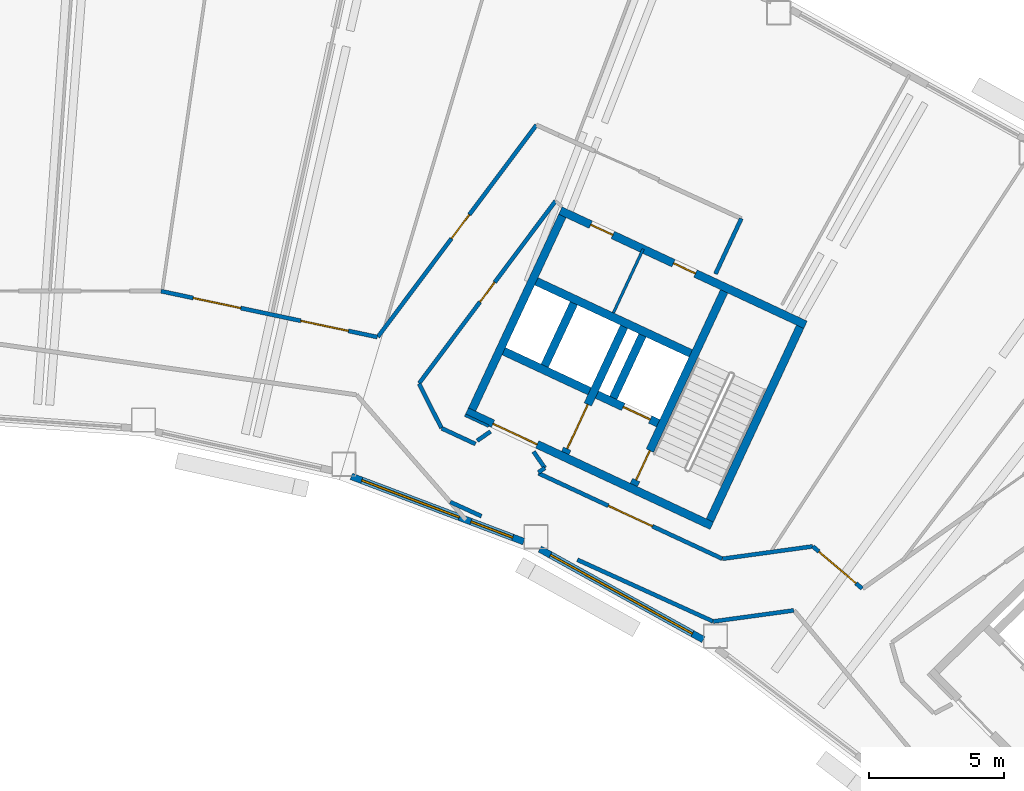
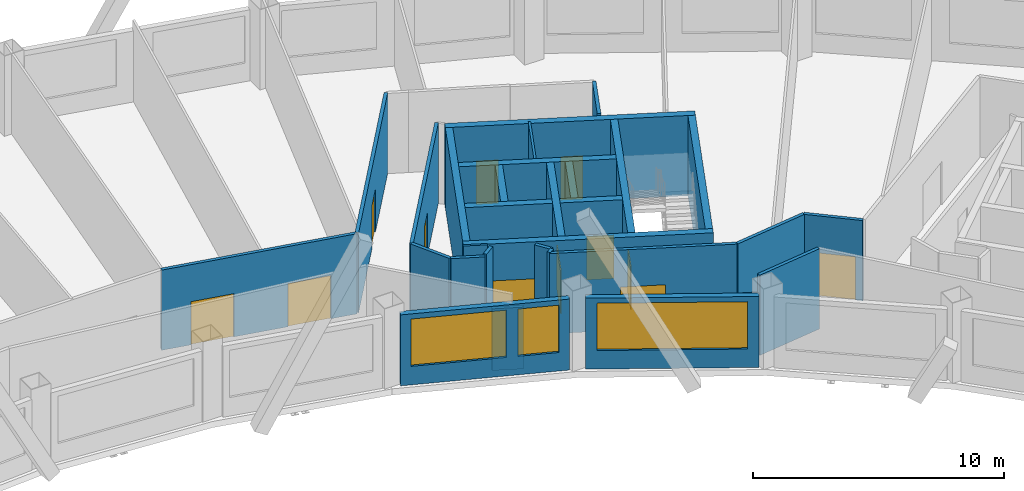
# One storey, part 8 of 14: 30 walls, 12 doors, 3 windows, 15 openings.
"""IFC4 building model written with IfcOpenShell, lengths in metres."""

import ifcopenshell
import ifcopenshell.guid

model = None  # the IFC model being written
_history = None  # IfcOwnerHistory: only IFC2X3 demands one
_inside = {}  # id of a spatial element -> (the spatial element, [elements in it])
_under = {}  # id of a project, library or spatial element -> (it, [spatial elements below it])
_declared = {}  # id of a project -> (the project, [libraries it declares])
_typed = {}  # id of a type object -> (the type object, [elements of that type])
_made_of = {}  # id of a material, layer set ... -> (it, [elements and type objects made of it])


def new_model(schema):
    """Start an empty IFC model of exactly this schema.

    Asked for "IFC4X3", IfcOpenShell would pick the latest addendum, in which some entities
    have other attributes; the version numbers below select the first issue.
    IFC2X3 requires an IfcOwnerHistory on every rooted entity: one is made here for all.
    """
    global model, _history
    if schema == "IFC4X3":
        model = ifcopenshell.file(schema_version=(4, 3, 0, 0))
    else:
        model = ifcopenshell.file(schema=schema)
    _inside.clear()
    _under.clear()
    _declared.clear()
    _typed.clear()
    _made_of.clear()
    _history = None
    if model.schema == "IFC2X3":
        org = make("IfcOrganization", Name="unknown")
        user = make(
            "IfcPersonAndOrganization",
            ThePerson=make("IfcPerson", FamilyName="unknown"),
            TheOrganization=org,
        )
        app = make(
            "IfcApplication",
            ApplicationDeveloper=org,
            Version="unknown",
            ApplicationFullName="unknown",
            ApplicationIdentifier="unknown",
        )
        _history = make(
            "IfcOwnerHistory",
            OwningUser=user,
            OwningApplication=app,
            ChangeAction="ADDED",
            CreationDate=0,
        )
    return model


def make(cls, **values):
    """One entity of the class cls with the attributes given. An attribute that is None is left unset."""
    return model.create_entity(
        cls, **{name: value for name, value in values.items() if value is not None}
    )


def rooted(cls, **values):
    """An entity with a GlobalId (a new one), such as an element, a storey or a relation."""
    return make(cls, GlobalId=ifcopenshell.guid.new(), OwnerHistory=_history, **values)


def si_unit(unit_type, name, prefix=None):
    """IfcSIUnit, for example si_unit("LENGTHUNIT", "METRE", prefix="MILLI")."""
    return make("IfcSIUnit", UnitType=unit_type, Prefix=prefix, Name=name)


def assignment(units):
    """IfcUnitAssignment: the units of a project."""
    return None if units is None else make("IfcUnitAssignment", Units=units)


def point(xyz):
    """IfcCartesianPoint."""
    return None if xyz is None else make("IfcCartesianPoint", Coordinates=xyz)


def direction(xyz):
    """IfcDirection."""
    return None if xyz is None else make("IfcDirection", DirectionRatios=xyz)


def frame(location, z_axis=None, x_axis=None):
    """IfcAxis2Placement3D, a coordinate frame: its origin and axes. An axis left out is left unset."""
    return make(
        "IfcAxis2Placement3D",
        Location=point(location),
        Axis=direction(z_axis),
        RefDirection=direction(x_axis),
    )


def frame_2d(location, x_axis=None):
    """IfcAxis2Placement2D, a coordinate frame in the plane: its origin and x axis."""
    return make(
        "IfcAxis2Placement2D", Location=point(location), RefDirection=direction(x_axis)
    )


def origin():
    """The frame at (0, 0, 0) with its axes left unset."""
    return frame((0.0, 0.0, 0.0))


def place(relative_to, where):
    """IfcLocalPlacement: puts the frame where relative to a parent placement (None: the world)."""
    return make(
        "IfcLocalPlacement", PlacementRelTo=relative_to, RelativePlacement=where
    )


def context(
    kind, dimensions, precision=None, world=None, true_north=None, identifier=None
):
    """IfcGeometricRepresentationContext, for example the 3D "Model" context."""
    return make(
        "IfcGeometricRepresentationContext",
        ContextIdentifier=identifier,
        ContextType=kind,
        CoordinateSpaceDimension=dimensions,
        Precision=precision,
        WorldCoordinateSystem=world,
        TrueNorth=true_north,
    )


def subcontext(parent, identifier, kind, view, scale=None):
    """IfcGeometricRepresentationSubContext, for example "Body" below "Model"."""
    return make(
        "IfcGeometricRepresentationSubContext",
        ContextIdentifier=identifier,
        ContextType=kind,
        ParentContext=parent,
        TargetScale=scale,
        TargetView=view,
    )


def project(units=None, contexts=None):
    """IfcProject with its units and contexts."""
    return rooted(
        "IfcProject",
        Name="project",
        RepresentationContexts=contexts,
        UnitsInContext=assignment(units),
    )


def spatial(cls, under=None, at=None, **own):
    """A site, building, storey or space (cls), placed at a placement, below another one or the project."""
    s = rooted(cls, ObjectPlacement=at, **own)
    if under is not None:
        _under.setdefault(under.id(), (under, []))[1].append(s)
    return s


def profile(cls, at=None, kind="AREA", **sizes):
    """A parametric profile (cls). Its sizes go by their IFC names, for example OverallWidth=200.0."""
    return make(cls, ProfileType=kind, Position=at, **sizes)


def rectangle(**sizes):
    """IfcRectangleProfileDef."""
    return profile("IfcRectangleProfileDef", **sizes)


def extrude(swept, where, along, depth):
    """IfcExtrudedAreaSolid: the profile swept, set in the frame where, extruded along a direction by depth."""
    return make(
        "IfcExtrudedAreaSolid",
        SweptArea=swept,
        Position=where,
        ExtrudedDirection=direction(along),
        Depth=depth,
    )


def shape(context_of_items, identifier, shape_type, items):
    """IfcShapeRepresentation: the items that make up one representation, for example the "Body"."""
    return make(
        "IfcShapeRepresentation",
        ContextOfItems=context_of_items,
        RepresentationIdentifier=identifier,
        RepresentationType=shape_type,
        Items=items,
    )


def material(Name=None, Category=None):
    """IfcMaterial."""
    return make("IfcMaterial", Name=Name, Category=Category)


def layer(
    of_material, thickness, ventilated=None, Name=None, Category=None, Priority=None
):
    """IfcMaterialLayer: one layer of a wall or slab, of a material (None: an air gap)."""
    return make(
        "IfcMaterialLayer",
        Material=of_material,
        LayerThickness=thickness,
        IsVentilated=ventilated,
        Name=Name,
        Category=Category,
        Priority=Priority,
    )


def layer_set(layers, Name=None):
    """IfcMaterialLayerSet."""
    return make("IfcMaterialLayerSet", MaterialLayers=layers, LayerSetName=Name)


def made_of(thing, what):
    """Note that an element or type object is made of a material, layer set ...; save() writes the relation."""
    if what is not None:
        _made_of.setdefault(what.id(), (what, []))[1].append(thing)
    return thing


def type_object(cls, material=None, **own):
    """A type object (cls), such as IfcWallType, which elements share."""
    return made_of(rooted(cls, **own), material)


def element(
    cls,
    number,
    at=None,
    inside=None,
    cuts=None,
    type_object=None,
    material=None,
    context=None,
    identifier="Body",
    shape_type=None,
    held_by="IfcProductDefinitionShape",
    body=None,
    shapes=None,
    **own,
):
    """One element of the class cls, such as IfcWall. Its Tag is "e" and its number.

    at: its placement. inside: the storey or other place that contains it. cuts: it is an
    opening in that element (IfcRelVoidsElement). A single representation is given by context,
    identifier, shape_type and body (its items); several are given by shapes. held_by: the class
    of the entity that holds the representations. save() writes the other relations.
    """
    e = rooted(cls, Tag="e%d" % number, ObjectPlacement=at, **own)
    if body is not None:
        shapes = [shape(context, identifier, shape_type, body)]
    if shapes is not None:
        e.Representation = make(held_by, Representations=shapes)
    if inside is not None:
        _inside.setdefault(inside.id(), (inside, []))[1].append(e)
    if cuts is not None:
        rooted(
            "IfcRelVoidsElement", RelatingBuildingElement=cuts, RelatedOpeningElement=e
        )
    if type_object is not None:
        _typed.setdefault(type_object.id(), (type_object, []))[1].append(e)
    return made_of(e, material)


def fill(opening, filler):
    """IfcRelFillsElement: the door or window that sits in an opening."""
    return rooted(
        "IfcRelFillsElement",
        RelatingOpeningElement=opening,
        RelatedBuildingElement=filler,
    )


def aggregate(whole, parts):
    """IfcRelAggregates: a whole, such as a stair, and the parts it consists of."""
    return rooted("IfcRelAggregates", RelatingObject=whole, RelatedObjects=parts)


def save(model, path):
    """Write the relations noted so far, then the file.

    IfcRelAggregates (storeys below a building ...), IfcRelContainedInSpatialStructure (elements
    in a storey), IfcRelDefinesByType, IfcRelAssociatesMaterial and IfcRelDeclares: one each for
    every whole, place, type object, material and project.
    """
    for whole, parts in _under.values():
        aggregate(whole, parts)
    for where, things in _inside.values():
        rooted(
            "IfcRelContainedInSpatialStructure",
            RelatedElements=things,
            RelatingStructure=where,
        )
    for kind, things in _typed.values():
        rooted("IfcRelDefinesByType", RelatedObjects=things, RelatingType=kind)
    for what, things in _made_of.values():
        rooted("IfcRelAssociatesMaterial", RelatedObjects=things, RelatingMaterial=what)
    for by, libraries in _declared.values():
        rooted("IfcRelDeclares", RelatingContext=by, RelatedDefinitions=libraries)
    model.write(path)


model = new_model("IFC4")

# Units and contexts
model_context = context("Model", 3, precision=1e-05, world=origin(), true_north=direction((0.0, 1.0)))
body_context = subcontext(model_context, "Body", "Model", "MODEL_VIEW")
ifc_project = project(units=[si_unit("LENGTHUNIT", "METRE"), si_unit("AREAUNIT", "SQUARE_METRE"), si_unit("VOLUMEUNIT", "CUBIC_METRE"), si_unit("PLANEANGLEUNIT", "RADIAN"), si_unit("MASSUNIT", "GRAM", prefix="KILO")], contexts=[model_context])

# Site, building, storey
site_placement = place(None, origin())
site = spatial("IfcSite", under=ifc_project, at=site_placement, CompositionType="ELEMENT")
building_placement = place(site_placement, origin())
building = spatial("IfcBuilding", under=site, at=building_placement, Name="Tuul Gate Civic Tower", CompositionType="ELEMENT")
storey_placement = place(building_placement, frame((0.0, 0.0, 209.5)))
storey = spatial("IfcBuildingStorey", under=building, at=storey_placement, Name="Level 47", CompositionType="ELEMENT", Elevation=209.5)

# Wall, opening, door
ifc_material_1 = material(Name="Concrete C50/60", Category="concrete")
ifc_layer_1 = layer(ifc_material_1, 0.300048828125)
ifc_layer_set_1 = layer_set([ifc_layer_1], Name="Concrete C50/60")
wall_type_1 = type_object("IfcWallType", Name="Core wall C50/60", PredefinedType="SHEAR", material=ifc_layer_set_1)
wall_1_placement = place(storey_placement, frame((34.5283203125, -7.25, 0.0), z_axis=(0.0, 0.0, 1.0), x_axis=(-0.906310338845, 0.422612789327, 0.0)))
wall_1 = element("IfcWall", 1, at=wall_1_placement, inside=storey, type_object=wall_type_1, Name="Core wall", PredefinedType="SHEAR", context=body_context, shape_type="SweptSolid", body=[
    extrude(rectangle(XDim=9.999755859375, YDim=0.300048828125, at=frame_2d((5.0, 0.0))), origin(), (0.0, 0.0, 1.0), 3.89990234375),
])
opening_1_placement = place(wall_1_placement, frame((7.125, 0.0, 0.0)))
opening_1 = element("IfcOpeningElement", 2, at=opening_1_placement, cuts=wall_1, Name="Opening LB-E3-LOBBY-1", PredefinedType="OPENING", context=body_context, shape_type="SweptSolid", body=[
    extrude(rectangle(XDim=1.800048828125, YDim=2.10009765625, at=frame_2d((0.89990234375, 1.050048828125))), frame((0.0, 0.16015625, 0.0), z_axis=(0.0, -1.0, 0.0), x_axis=(1.0, 0.0, 0.0)), (0.0, 0.0, 1.0), 0.320068359375),
])
ifc_material_2 = material(Name="Steel", Category="steel")
door_type_1 = type_object("IfcDoorType", Name="Lobby door", OperationType="DOUBLE_DOOR_SINGLE_SWING", PredefinedType="DOOR", material=ifc_material_2)
door_1_placement = place(opening_1_placement, frame((1.800048828125, 0.0, 0.0), z_axis=(0.0, 0.0, 1.0), x_axis=(-1.0, 0.0, 0.0)))
door_1 = element("IfcDoor", 3, at=door_1_placement, inside=storey, type_object=door_type_1, Name="Lobby door E3-LOBBY", OperationType="DOUBLE_DOOR_SINGLE_SWING", OverallHeight=2.10009765625, OverallWidth=1.800048828125, PredefinedType="DOOR", context=body_context, shape_type="SweptSolid", body=[
    extrude(rectangle(XDim=1.800048828125, YDim=2.10009765625, at=frame_2d((0.900146484375, 1.050048828125))), frame((0.0, 0.02490234375, 0.0), z_axis=(0.0, -1.0, 0.0), x_axis=(1.0, 0.0, 0.0)), (0.0, 0.0, 1.0), 0.050048828125),
])
fill(opening_1, door_1)

wall_2_placement = place(storey_placement, frame((32.545654296875, -3.456787109375, 0.0), z_axis=(0.0, 0.0, 1.0), x_axis=(-0.906300357825, 0.42263419337, 0.0)))
wall_2 = element("IfcWall", 4, at=wall_2_placement, inside=storey, type_object=wall_type_1, Name="Core wall", PredefinedType="SHEAR", context=body_context, shape_type="SweptSolid", body=[
    extrude(rectangle(XDim=2.500244140625, YDim=0.300048828125, at=frame_2d((1.25, 0.0))), origin(), (0.0, 0.0, 1.0), 3.89990234375),
])
opening_2_placement = place(wall_2_placement, frame((0.324951171875, 0.0, 0.0)))
opening_2 = element("IfcOpeningElement", 5, at=opening_2_placement, cuts=wall_2, Name="Opening LD-FF-2", PredefinedType="OPENING", context=body_context, shape_type="SweptSolid", body=[
    extrude(rectangle(XDim=1.10009765625, YDim=2.10009765625, at=frame_2d((0.550048828125, 1.050048828125))), frame((0.0, 0.16015625, 0.0), z_axis=(0.0, -1.0, 0.0), x_axis=(1.0, 0.0, 0.0)), (0.0, 0.0, 1.0), 0.320068359375),
])
ifc_material_3 = material(Name="Stainless steel", Category="steel")
door_type_2 = type_object("IfcDoorType", Name="Landing door", OperationType="DOUBLE_DOOR_SLIDING", PredefinedType="DOOR", material=ifc_material_3)
door_2_placement = place(opening_2_placement, origin())
door_2 = element("IfcDoor", 6, at=door_2_placement, inside=storey, type_object=door_type_2, Name="Fire-fighting lift FF-2 landing door", OperationType="DOUBLE_DOOR_SLIDING", OverallHeight=2.10009765625, OverallWidth=1.10009765625, PredefinedType="DOOR", context=body_context, shape_type="SweptSolid", body=[
    extrude(rectangle(XDim=1.10009765625, YDim=2.10009765625, at=frame_2d((0.550048828125, 1.050048828125))), frame((0.0, 0.02490234375, 0.0), z_axis=(0.0, -1.0, 0.0), x_axis=(1.0, 0.0, 0.0)), (0.0, 0.0, 1.0), 0.050048828125),
])
fill(opening_2, door_2)

# Walls
wall_3_placement = place(storey_placement, frame((30.0078125, -2.2734375, 0.0), z_axis=(0.0, 0.0, 1.0), x_axis=(-0.90630071767, 0.422633421716, 0.0)))
element("IfcWall", 7, at=wall_3_placement, inside=storey, type_object=wall_type_1, Name="Core wall", PredefinedType="SHEAR", context=body_context, shape_type="SweptSolid", body=[
    extrude(rectangle(XDim=3.5, YDim=0.300048828125, at=frame_2d((1.75, 0.0))), origin(), (0.0, 0.0, 1.0), 3.89990234375),
])
wall_4_placement = place(storey_placement, frame((33.75, -0.873779296875, 0.0), z_axis=(0.0, 0.0, 1.0), x_axis=(-0.906300917592, 0.422632992999, 0.0)))
element("IfcWall", 8, at=wall_4_placement, inside=storey, type_object=wall_type_1, Name="Core wall", PredefinedType="SHEAR", context=body_context, shape_type="SweptSolid", body=[
    extrude(rectangle(XDim=6.300048828125, YDim=0.300048828125, at=frame_2d((3.14990234375, 0.0))), origin(), (0.0, 0.0, 1.0), 3.89990234375),
])

# Wall, openings, doors
wall_5_placement = place(storey_placement, frame((37.993408203125, 0.181884765625, 0.0), z_axis=(0.0, 0.0, 1.0), x_axis=(-0.906310338845, 0.422612789327, 0.0)))
wall_5 = element("IfcWall", 9, at=wall_5_placement, inside=storey, type_object=wall_type_1, Name="Core wall", PredefinedType="SHEAR", context=body_context, shape_type="SweptSolid", body=[
    extrude(rectangle(XDim=9.999755859375, YDim=0.300048828125, at=frame_2d((5.0, 0.0))), origin(), (0.0, 0.0, 1.0), 3.89990234375),
])
opening_3_placement = place(wall_5_placement, frame((4.487548828125, 0.0, 0.0)))
opening_3 = element("IfcOpeningElement", 10, at=opening_3_placement, cuts=wall_5, Name="Opening Q-D29", PredefinedType="OPENING", context=body_context, shape_type="SweptSolid", body=[
    extrude(rectangle(XDim=0.89990234375, YDim=2.10009765625, at=frame_2d((0.449951171875, 1.050048828125))), frame((0.0, 0.16015625, 0.0), z_axis=(0.0, -1.0, 0.0), x_axis=(1.0, 0.0, 0.0)), (0.0, 0.0, 1.0), 0.320068359375),
])
opening_4_placement = place(wall_5_placement, frame((7.862548828125, 0.0, 0.0)))
opening_4 = element("IfcOpeningElement", 11, at=opening_4_placement, cuts=wall_5, Name="Opening Q-D30", PredefinedType="OPENING", context=body_context, shape_type="SweptSolid", body=[
    extrude(rectangle(XDim=0.89990234375, YDim=2.10009765625, at=frame_2d((0.449951171875, 1.050048828125))), frame((0.0, 0.16015625, 0.0), z_axis=(0.0, -1.0, 0.0), x_axis=(1.0, 0.0, 0.0)), (0.0, 0.0, 1.0), 0.320068359375),
])
ifc_material_4 = material(Name="Timber door leaf", Category="wood")
door_type_3 = type_object("IfcDoorType", Name="Door D09", OperationType="NOTDEFINED", PredefinedType="DOOR", material=ifc_material_4)
door_3_placement = place(opening_3_placement, origin())
door_3 = element("IfcDoor", 12, at=door_3_placement, inside=storey, type_object=door_type_3, Name="Door Q-D29", OperationType="SINGLE_SWING_LEFT", OverallHeight=2.10009765625, OverallWidth=0.89990234375, PredefinedType="DOOR", context=body_context, shape_type="SweptSolid", body=[
    extrude(rectangle(XDim=0.89990234375, YDim=2.10009765625, at=frame_2d((0.449951171875, 1.050048828125))), frame((0.0, 0.02490234375, 0.0), z_axis=(0.0, -1.0, 0.0), x_axis=(1.0, 0.0, 0.0)), (0.0, 0.0, 1.0), 0.050048828125),
])
fill(opening_3, door_3)
door_4_placement = place(opening_4_placement, origin())
door_4 = element("IfcDoor", 13, at=door_4_placement, inside=storey, type_object=door_type_3, Name="Door Q-D30", OperationType="SINGLE_SWING_RIGHT", OverallHeight=2.10009765625, OverallWidth=0.89990234375, PredefinedType="DOOR", context=body_context, shape_type="SweptSolid", body=[
    extrude(rectangle(XDim=0.89990234375, YDim=2.10009765625, at=frame_2d((0.449951171875, 1.050048828125))), frame((0.0, 0.02490234375, 0.0), z_axis=(0.0, -1.0, 0.0), x_axis=(1.0, 0.0, 0.0)), (0.0, 0.0, 1.0), 0.050048828125),
])
fill(opening_4, door_4)

# Wall
wall_6_placement = place(storey_placement, frame((34.455810546875, -7.05078125, 0.0), z_axis=(0.0, 0.0, 1.0), x_axis=(0.422570768258, 0.906329932096, 0.0)))
element("IfcWall", 14, at=wall_6_placement, inside=storey, type_object=wall_type_1, Name="Core wall", PredefinedType="SHEAR", context=body_context, shape_type="SweptSolid", body=[
    extrude(rectangle(XDim=7.900146484375, YDim=0.300048828125, at=frame_2d((3.9501953125, 0.0))), origin(), (0.0, 0.0, 1.0), 3.89990234375),
])

# Wall, opening, door
wall_7_placement = place(storey_placement, frame((31.646240234375, -5.740478515625, 0.0), z_axis=(0.0, 0.0, 1.0), x_axis=(0.422582604137, 0.906324413596, 0.0)))
wall_7 = element("IfcWall", 15, at=wall_7_placement, inside=storey, type_object=wall_type_1, Name="Core wall", PredefinedType="SHEAR", context=body_context, shape_type="SweptSolid", body=[
    extrude(rectangle(XDim=7.89990234375, YDim=0.300048828125, at=frame_2d((3.949951171875, 0.0))), origin(), (0.0, 0.0, 1.0), 3.89990234375),
])
opening_5_placement = place(wall_7_placement, frame((0.199951171875, 0.0, 0.0)))
opening_5 = element("IfcOpeningElement", 16, at=opening_5_placement, cuts=wall_7, Name="Opening SD-ST-4", PredefinedType="OPENING", context=body_context, shape_type="SweptSolid", body=[
    extrude(rectangle(XDim=1.199951171875, YDim=2.10009765625, at=frame_2d((0.60009765625, 1.050048828125))), frame((0.0, 0.16015625, 0.0), z_axis=(0.0, -1.0, 0.0), x_axis=(1.0, 0.0, 0.0)), (0.0, 0.0, 1.0), 0.320068359375),
])
ifc_material_5 = material(Name="Steel", Category="steel")
door_type_4 = type_object("IfcDoorType", Name="Stair door", OperationType="NOTDEFINED", PredefinedType="DOOR", material=ifc_material_5)
door_5_placement = place(opening_5_placement, origin())
door_5 = element("IfcDoor", 17, at=door_5_placement, inside=storey, type_object=door_type_4, Name="Stair door ST-4", OperationType="SINGLE_SWING_LEFT", OverallHeight=2.10009765625, OverallWidth=1.199951171875, PredefinedType="DOOR", context=body_context, shape_type="SweptSolid", body=[
    extrude(rectangle(XDim=1.199951171875, YDim=2.10009765625, at=frame_2d((0.60009765625, 1.050048828125))), frame((0.0, 0.02490234375, 0.0), z_axis=(0.0, -1.0, 0.0), x_axis=(1.0, 0.0, 0.0)), (0.0, 0.0, 1.0), 0.050048828125),
])
fill(opening_5, door_5)

# Wall
wall_8_placement = place(storey_placement, frame((30.886962890625, -2.517822265625, 0.0), z_axis=(0.0, 0.0, 1.0), x_axis=(0.422612891016, 0.906310291427, 0.0)))
element("IfcWall", 18, at=wall_8_placement, inside=storey, type_object=wall_type_1, Name="Core wall", PredefinedType="SHEAR", context=body_context, shape_type="SweptSolid", body=[
    extrude(rectangle(XDim=2.550048828125, YDim=0.300048828125, at=frame_2d((1.27490234375, 0.0))), origin(), (0.0, 0.0, 1.0), 3.89990234375),
])

# Wall, opening, door
wall_9_placement = place(storey_placement, frame((29.108642578125, -4.557373046875, 0.0), z_axis=(0.0, 0.0, 1.0), x_axis=(0.422566235356, 0.90633204552, 0.0)))
wall_9 = element("IfcWall", 19, at=wall_9_placement, inside=storey, type_object=wall_type_1, Name="Core wall", PredefinedType="SHEAR", context=body_context, shape_type="SweptSolid", body=[
    extrude(rectangle(XDim=5.150146484375, YDim=0.300048828125, at=frame_2d((2.5751953125, 0.0))), origin(), (0.0, 0.0, 1.0), 3.89990234375),
])
opening_6_placement = place(wall_9_placement, frame((0.175048828125, 0.0, 0.0)))
opening_6 = element("IfcOpeningElement", 20, at=opening_6_placement, cuts=wall_9, Name="Opening LB-E3-FLOBBY-1", PredefinedType="OPENING", context=body_context, shape_type="SweptSolid", body=[
    extrude(rectangle(XDim=1.800048828125, YDim=2.10009765625, at=frame_2d((0.89990234375, 1.050048828125))), frame((0.0, 0.16015625, 0.0), z_axis=(0.0, -1.0, 0.0), x_axis=(1.0, 0.0, 0.0)), (0.0, 0.0, 1.0), 0.320068359375),
])
door_6_placement = place(opening_6_placement, frame((1.800048828125, 0.0, 0.0), z_axis=(0.0, 0.0, 1.0), x_axis=(-1.0, 0.0, 0.0)))
door_6 = element("IfcDoor", 21, at=door_6_placement, inside=storey, type_object=door_type_1, Name="Lobby door E3-FLOBBY", OperationType="DOUBLE_DOOR_SINGLE_SWING", OverallHeight=2.10009765625, OverallWidth=1.800048828125, PredefinedType="DOOR", context=body_context, shape_type="SweptSolid", body=[
    extrude(rectangle(XDim=1.800048828125, YDim=2.10009765625, at=frame_2d((0.900146484375, 1.050048828125))), frame((0.0, 0.02490234375, 0.0), z_axis=(0.0, -1.0, 0.0), x_axis=(1.0, 0.0, 0.0)), (0.0, 0.0, 1.0), 0.050048828125),
])
fill(opening_6, door_6)

# Walls
wall_10_placement = place(storey_placement, frame((28.349365234375, -1.33447265625, 0.0), z_axis=(0.0, 0.0, 1.0), x_axis=(0.422612891016, 0.906310291427, 0.0)))
element("IfcWall", 22, at=wall_10_placement, inside=storey, type_object=wall_type_1, Name="Core wall", PredefinedType="SHEAR", context=body_context, shape_type="SweptSolid", body=[
    extrude(rectangle(XDim=2.550048828125, YDim=0.300048828125, at=frame_2d((1.27490234375, 0.0))), origin(), (0.0, 0.0, 1.0), 3.89990234375),
])
wall_11_placement = place(storey_placement, frame((25.66455078125, -2.951416015625, 0.0), z_axis=(0.0, 0.0, 1.0), x_axis=(0.422582604137, 0.906324413596, 0.0)))
element("IfcWall", 23, at=wall_11_placement, inside=storey, type_object=wall_type_1, Name="Core wall", PredefinedType="SHEAR", context=body_context, shape_type="SweptSolid", body=[
    extrude(rectangle(XDim=7.89990234375, YDim=0.300048828125, at=frame_2d((3.949951171875, 0.0))), origin(), (0.0, 0.0, 1.0), 3.89990234375),
])

# Wall, opening, door
ifc_material_6 = material(Name="Gypsum board partition")
ifc_layer_2 = layer(ifc_material_6, 0.14990234375)
ifc_layer_set_2 = layer_set([ifc_layer_2], Name="Gypsum board partition")
wall_type_2 = type_object("IfcWallType", Name="Corridor wall P150", PredefinedType="PARTITIONING", material=ifc_layer_set_2)
wall_12_placement = place(storey_placement, frame((38.264892578125, -8.011962890625, 0.0), z_axis=(0.0, 0.0, 1.0), x_axis=(0.760003699048, -0.649918746794, 0.0)))
wall_12 = element("IfcWall", 24, at=wall_12_placement, inside=storey, type_object=wall_type_2, Name="p013", PredefinedType="PARTITIONING", context=body_context, shape_type="SweptSolid", body=[
    extrude(rectangle(XDim=2.3974609375, YDim=0.14990234375, at=frame_2d((1.19873046875, 0.0))), origin(), (0.0, 0.0, 1.0), 3.89990234375),
])
opening_7_placement = place(wall_12_placement, frame((0.298583984375, 0.0, 0.0)))
opening_7 = element("IfcOpeningElement", 25, at=opening_7_placement, cuts=wall_12, Name="Opening Q-D03", PredefinedType="OPENING", context=body_context, shape_type="SweptSolid", body=[
    extrude(rectangle(XDim=1.800048828125, YDim=2.10009765625, at=frame_2d((0.89990234375, 1.050048828125))), frame((0.0, 0.0849609375, 0.0), z_axis=(0.0, -1.0, 0.0), x_axis=(1.0, 0.0, 0.0)), (0.0, 0.0, 1.0), 0.169921875),
])
ifc_material_7 = material(Name="Timber door leaf, double", Category="wood")
door_type_5 = type_object("IfcDoorType", Name="Door D18", OperationType="DOUBLE_DOOR_SINGLE_SWING", PredefinedType="DOOR", material=ifc_material_7)
door_7_placement = place(opening_7_placement, origin())
door_7 = element("IfcDoor", 26, at=door_7_placement, inside=storey, type_object=door_type_5, Name="Door Q-D03", OperationType="DOUBLE_DOOR_SINGLE_SWING", OverallHeight=2.10009765625, OverallWidth=1.800048828125, PredefinedType="DOOR", context=body_context, shape_type="SweptSolid", body=[
    extrude(rectangle(XDim=1.800048828125, YDim=2.10009765625, at=frame_2d((0.89990234375, 1.050048828125))), frame((0.0, 0.02490234375, 0.0), z_axis=(0.0, -1.0, 0.0), x_axis=(1.0, 0.0, 0.0)), (0.0, 0.0, 1.0), 0.050048828125),
])
fill(opening_7, door_7)

# Walls
wall_13_placement = place(storey_placement, frame((34.92578125, -8.4697265625, 0.0), z_axis=(0.0, 0.0, 1.0), x_axis=(0.990719616033, 0.135921456756, 0.0)))
element("IfcWall", 27, at=wall_13_placement, inside=storey, type_object=wall_type_2, Name="p014", PredefinedType="PARTITIONING", context=body_context, shape_type="SweptSolid", body=[
    extrude(rectangle(XDim=3.36962890625, YDim=0.14990234375, at=frame_2d((1.684814453125, 0.0))), origin(), (0.0, 0.0, 1.0), 3.89990234375),
])
wall_14_placement = place(storey_placement, frame((24.541259765625, -3.64501953125, 0.0), z_axis=(0.0, 0.0, 1.0), x_axis=(0.906716386328, -0.421740909523, 0.0)))
element("IfcWall", 28, at=wall_14_placement, inside=storey, type_object=wall_type_2, Name="p016", PredefinedType="PARTITIONING", context=body_context, shape_type="SweptSolid", body=[
    extrude(rectangle(XDim=1.37841796875, YDim=0.14990234375, at=frame_2d((0.689208984375, 0.0))), origin(), (0.0, 0.0, 1.0), 3.89990234375),
])

# Wall, opening, door
wall_15_placement = place(storey_placement, frame((28.119873046875, -5.308837890625, 0.0), z_axis=(0.0, 0.0, 1.0), x_axis=(0.906784843146, -0.421593700428, 0.0)))
wall_15 = element("IfcWall", 29, at=wall_15_placement, inside=storey, type_object=wall_type_2, Name="p017", PredefinedType="PARTITIONING", context=body_context, shape_type="SweptSolid", body=[
    extrude(rectangle(XDim=7.493408203125, YDim=0.14990234375, at=frame_2d((3.74658203125, 0.0))), origin(), (0.0, 0.0, 1.0), 3.89990234375),
])
opening_8_placement = place(wall_15_placement, frame((2.8466796875, 0.0, 0.0)))
opening_8 = element("IfcOpeningElement", 30, at=opening_8_placement, cuts=wall_15, Name="Opening Q-D04", PredefinedType="OPENING", context=body_context, shape_type="SweptSolid", body=[
    extrude(rectangle(XDim=1.800048828125, YDim=2.10009765625, at=frame_2d((0.89990234375, 1.050048828125))), frame((0.0, 0.0849609375, 0.0), z_axis=(0.0, -1.0, 0.0), x_axis=(1.0, 0.0, 0.0)), (0.0, 0.0, 1.0), 0.169921875),
])
door_8_placement = place(opening_8_placement, frame((1.800048828125, 0.0, 0.0), z_axis=(0.0, 0.0, 1.0), x_axis=(-1.0, 0.0, 0.0)))
door_8 = element("IfcDoor", 31, at=door_8_placement, inside=storey, type_object=door_type_5, Name="Door Q-D04", OperationType="DOUBLE_DOOR_SINGLE_SWING", OverallHeight=2.10009765625, OverallWidth=1.800048828125, PredefinedType="DOOR", context=body_context, shape_type="SweptSolid", body=[
    extrude(rectangle(XDim=1.800048828125, YDim=2.10009765625, at=frame_2d((0.900146484375, 1.050048828125))), frame((0.0, 0.02490234375, 0.0), z_axis=(0.0, -1.0, 0.0), x_axis=(1.0, 0.0, 0.0)), (0.0, 0.0, 1.0), 0.050048828125),
])
fill(opening_8, door_8)

# Walls
wall_16_placement = place(storey_placement, frame((28.116943359375, -5.2763671875, 0.0), z_axis=(0.0, 0.0, 1.0), x_axis=(0.82337606949, 0.567496121741, 0.0)))
element("IfcWall", 32, at=wall_16_placement, inside=storey, type_object=wall_type_2, Name="p018", PredefinedType="PARTITIONING", context=body_context, shape_type="SweptSolid", body=[
    extrude(rectangle(XDim=0.2890625, YDim=0.14990234375, at=frame_2d((0.14453125, 0.0))), origin(), (0.0, 0.0, 1.0), 3.89990234375),
])
wall_17_placement = place(storey_placement, frame((27.938720703125, -4.50830078125, 0.0), z_axis=(0.0, 0.0, 1.0), x_axis=(0.567460713761, -0.823400472636, 0.0)))
element("IfcWall", 33, at=wall_17_placement, inside=storey, type_object=wall_type_2, Name="p019", PredefinedType="PARTITIONING", context=body_context, shape_type="SweptSolid", body=[
    extrude(rectangle(XDim=0.733642578125, YDim=0.14990234375, at=frame_2d((0.36669921875, 0.0))), origin(), (0.0, 0.0, 1.0), 3.89990234375),
])
wall_18_placement = place(storey_placement, frame((34.665283203125, 2.065673828125, 0.0), z_axis=(0.0, 0.0, 1.0), x_axis=(0.422607204544, 0.90631294301, 0.0)))
element("IfcWall", 34, at=wall_18_placement, inside=storey, type_object=wall_type_2, Name="p021", PredefinedType="PARTITIONING", context=body_context, shape_type="SweptSolid", body=[
    extrude(rectangle(XDim=2.257568359375, YDim=0.14990234375, at=frame_2d((1.12890625, 0.0))), origin(), (0.0, 0.0, 1.0), 3.89990234375),
])

# Wall, opening, door
wall_19_placement = place(storey_placement, frame((22.18115234375, -0.26318359375, 0.0), z_axis=(0.0, 0.0, 1.0), x_axis=(0.599117413379, 0.800661179892, 0.0)))
wall_19 = element("IfcWall", 35, at=wall_19_placement, inside=storey, type_object=wall_type_2, Name="p026", PredefinedType="PARTITIONING", context=body_context, shape_type="SweptSolid", body=[
    extrude(rectangle(XDim=9.785400390625, YDim=0.14990234375, at=frame_2d((4.892578125, 0.0))), origin(), (0.0, 0.0, 1.0), 3.89990234375),
])
opening_9_placement = place(wall_19_placement, frame((4.54443359375, 0.0, 0.0)))
opening_9 = element("IfcOpeningElement", 36, at=opening_9_placement, cuts=wall_19, Name="Opening Q-D06", PredefinedType="OPENING", context=body_context, shape_type="SweptSolid", body=[
    extrude(rectangle(XDim=1.10009765625, YDim=2.10009765625, at=frame_2d((0.550048828125, 1.050048828125))), frame((0.0, 0.0849609375, 0.0), z_axis=(0.0, -1.0, 0.0), x_axis=(1.0, 0.0, 0.0)), (0.0, 0.0, 1.0), 0.169921875),
])
ifc_material_8 = material(Name="Timber door leaf", Category="wood")
door_type_6 = type_object("IfcDoorType", Name="Door D11", OperationType="NOTDEFINED", PredefinedType="DOOR", material=ifc_material_8)
door_9_placement = place(opening_9_placement, origin())
door_9 = element("IfcDoor", 37, at=door_9_placement, inside=storey, type_object=door_type_6, Name="Door Q-D06", OperationType="SINGLE_SWING_RIGHT", OverallHeight=2.10009765625, OverallWidth=1.10009765625, PredefinedType="DOOR", context=body_context, shape_type="SweptSolid", body=[
    extrude(rectangle(XDim=1.10009765625, YDim=2.10009765625, at=frame_2d((0.550048828125, 1.050048828125))), frame((0.0, 0.02490234375, 0.0), z_axis=(0.0, -1.0, 0.0), x_axis=(1.0, 0.0, 0.0)), (0.0, 0.0, 1.0), 0.050048828125),
])
fill(opening_9, door_9)

# Wall, openings, doors
wall_20_placement = place(storey_placement, frame((14.160400390625, 1.426513671875, 0.0), z_axis=(0.0, 0.0, 1.0), x_axis=(0.978230636286, -0.207520654953, 0.0)))
wall_20 = element("IfcWall", 38, at=wall_20_placement, inside=storey, type_object=wall_type_2, Name="p028", PredefinedType="PARTITIONING", context=body_context, shape_type="SweptSolid", body=[
    extrude(rectangle(XDim=8.1787109375, YDim=0.14990234375, at=frame_2d((4.08935546875, 0.0))), origin(), (0.0, 0.0, 1.0), 3.89990234375),
])
opening_10_placement = place(wall_20_placement, frame((5.283447265625, 0.0, 0.0)))
opening_10 = element("IfcOpeningElement", 39, at=opening_10_placement, cuts=wall_20, Name="Opening Q-D07", PredefinedType="OPENING", context=body_context, shape_type="SweptSolid", body=[
    extrude(rectangle(XDim=1.800048828125, YDim=2.10009765625, at=frame_2d((0.89990234375, 1.050048828125))), frame((0.0, 0.0849609375, 0.0), z_axis=(0.0, -1.0, 0.0), x_axis=(1.0, 0.0, 0.0)), (0.0, 0.0, 1.0), 0.169921875),
])
opening_11_placement = place(wall_20_placement, frame((1.216552734375, 0.0, 0.0)))
opening_11 = element("IfcOpeningElement", 40, at=opening_11_placement, cuts=wall_20, Name="Opening Q-D08", PredefinedType="OPENING", context=body_context, shape_type="SweptSolid", body=[
    extrude(rectangle(XDim=1.800048828125, YDim=2.10009765625, at=frame_2d((0.89990234375, 1.050048828125))), frame((0.0, 0.0849609375, 0.0), z_axis=(0.0, -1.0, 0.0), x_axis=(1.0, 0.0, 0.0)), (0.0, 0.0, 1.0), 0.169921875),
])
door_10_placement = place(opening_10_placement, origin())
door_10 = element("IfcDoor", 41, at=door_10_placement, inside=storey, type_object=door_type_5, Name="Door Q-D07", OperationType="DOUBLE_DOOR_SINGLE_SWING", OverallHeight=2.10009765625, OverallWidth=1.800048828125, PredefinedType="DOOR", context=body_context, shape_type="SweptSolid", body=[
    extrude(rectangle(XDim=1.800048828125, YDim=2.10009765625, at=frame_2d((0.89990234375, 1.050048828125))), frame((0.0, 0.02490234375, 0.0), z_axis=(0.0, -1.0, 0.0), x_axis=(1.0, 0.0, 0.0)), (0.0, 0.0, 1.0), 0.050048828125),
])
fill(opening_10, door_10)
door_11_placement = place(opening_11_placement, origin())
door_11 = element("IfcDoor", 42, at=door_11_placement, inside=storey, type_object=door_type_5, Name="Door Q-D08", OperationType="DOUBLE_DOOR_SINGLE_SWING", OverallHeight=2.10009765625, OverallWidth=1.800048828125, PredefinedType="DOOR", context=body_context, shape_type="SweptSolid", body=[
    extrude(rectangle(XDim=1.800048828125, YDim=2.10009765625, at=frame_2d((0.89990234375, 1.050048828125))), frame((0.0, 0.02490234375, 0.0), z_axis=(0.0, -1.0, 0.0), x_axis=(1.0, 0.0, 0.0)), (0.0, 0.0, 1.0), 0.050048828125),
])
fill(opening_11, door_11)

# Walls
wall_21_placement = place(storey_placement, frame((34.581787109375, -10.7880859375, 0.0), z_axis=(0.0, 0.0, 1.0), x_axis=(0.990719089556, 0.135925294147, 0.0)))
element("IfcWall", 43, at=wall_21_placement, inside=storey, type_object=wall_type_2, Name="p065", PredefinedType="PARTITIONING", context=body_context, shape_type="SweptSolid", body=[
    extrude(rectangle(XDim=3.0048828125, YDim=0.14990234375, at=frame_2d((1.50244140625, 0.0))), origin(), (0.0, 0.0, 1.0), 3.89990234375),
])
wall_22_placement = place(storey_placement, frame((25.853271484375, -4.103759765625, 0.0), z_axis=(0.0, 0.0, 1.0), x_axis=(0.823384310715, 0.567484164421, 0.0)))
element("IfcWall", 44, at=wall_22_placement, inside=storey, type_object=wall_type_2, Name="p075", PredefinedType="PARTITIONING", context=body_context, shape_type="SweptSolid", body=[
    extrude(rectangle(XDim=0.59619140625, YDim=0.14990234375, at=frame_2d((0.298095703125, 0.0))), origin(), (0.0, 0.0, 1.0), 3.89990234375),
])
wall_23_placement = place(storey_placement, frame((23.706298828125, -1.999267578125, 0.0), z_axis=(0.0, 0.0, 1.0), x_axis=(0.45024729149, -0.892903901047, 0.0)))
element("IfcWall", 45, at=wall_23_placement, inside=storey, type_object=wall_type_2, Name="p076", PredefinedType="PARTITIONING", context=body_context, shape_type="SweptSolid", body=[
    extrude(rectangle(XDim=1.833251953125, YDim=0.14990234375, at=frame_2d((0.91650390625, 0.0))), origin(), (0.0, 0.0, 1.0), 3.89990234375),
])

# Wall, opening, door
wall_24_placement = place(storey_placement, frame((23.7080078125, -1.978271484375, 0.0), z_axis=(0.0, 0.0, 1.0), x_axis=(0.599108320158, 0.800667984071, 0.0)))
wall_24 = element("IfcWall", 46, at=wall_24_placement, inside=storey, type_object=wall_type_2, Name="p077", PredefinedType="PARTITIONING", context=body_context, shape_type="SweptSolid", body=[
    extrude(rectangle(XDim=8.41455078125, YDim=0.14990234375, at=frame_2d((4.207275390625, 0.0))), origin(), (0.0, 0.0, 1.0), 3.89990234375),
])
opening_12_placement = place(wall_24_placement, frame((3.75732421875, 0.0, 0.0)))
opening_12 = element("IfcOpeningElement", 47, at=opening_12_placement, cuts=wall_24, Name="Opening Q-D24", PredefinedType="OPENING", context=body_context, shape_type="SweptSolid", body=[
    extrude(rectangle(XDim=0.89990234375, YDim=2.10009765625, at=frame_2d((0.449951171875, 1.050048828125))), frame((0.0, 0.0849609375, 0.0), z_axis=(0.0, -1.0, 0.0), x_axis=(1.0, 0.0, 0.0)), (0.0, 0.0, 1.0), 0.169921875),
])
door_12_placement = place(opening_12_placement, frame((0.89990234375, 0.0, 0.0), z_axis=(0.0, 0.0, 1.0), x_axis=(-1.0, 0.0, 0.0)))
door_12 = element("IfcDoor", 48, at=door_12_placement, inside=storey, type_object=door_type_3, Name="Door Q-D24", OperationType="SINGLE_SWING_LEFT", OverallHeight=2.10009765625, OverallWidth=0.89990234375, PredefinedType="DOOR", context=body_context, shape_type="SweptSolid", body=[
    extrude(rectangle(XDim=0.89990234375, YDim=2.10009765625, at=frame_2d((0.449951171875, 1.050048828125))), frame((0.0, 0.02490234375, 0.0), z_axis=(0.0, -1.0, 0.0), x_axis=(1.0, 0.0, 0.0)), (0.0, 0.0, 1.0), 0.050048828125),
])
fill(opening_12, door_12)

# Walls
ifc_material_9 = material(Name="Gypsum board partition")
ifc_layer_3 = layer(ifc_material_9, 0.14990234375)
ifc_layer_set_3 = layer_set([ifc_layer_3], Name="Gypsum board partition")
wall_type_3 = type_object("IfcWallType", Name="Corridor wall P150 3000 HIGH", PredefinedType="PARTITIONING", material=ifc_layer_set_3)
wall_25_placement = place(storey_placement, frame((24.857421875, -6.371337890625, 0.0), z_axis=(0.0, 0.0, 1.0), x_axis=(0.91047853396, -0.413556331348, 0.0)))
element("IfcWall", 49, at=wall_25_placement, inside=storey, type_object=wall_type_3, Name="p063", PredefinedType="PARTITIONING", context=body_context, shape_type="SweptSolid", body=[
    extrude(rectangle(XDim=1.26806640625, YDim=0.14990234375, at=frame_2d((0.634033203125, 0.0))), origin(), (0.0, 0.0, 1.0), 3.0),
])
wall_26_placement = place(storey_placement, frame((29.556640625, -8.505615234375, 0.0), z_axis=(0.0, 0.0, 1.0), x_axis=(0.910481573479, -0.41354963953, 0.0)))
element("IfcWall", 50, at=wall_26_placement, inside=storey, type_object=wall_type_3, Name="p064", PredefinedType="PARTITIONING", context=body_context, shape_type="SweptSolid", body=[
    extrude(rectangle(XDim=5.519287109375, YDim=0.14990234375, at=frame_2d((2.759765625, 0.0))), origin(), (0.0, 0.0, 1.0), 3.0),
])

# Wall, openings, windows
ifc_material_10 = material(Name="Precast concrete C40/50", Category="concrete")
ifc_layer_4 = layer(ifc_material_10, 0.25)
ifc_layer_set_4 = layer_set([ifc_layer_4], Name="Precast concrete C40/50")
wall_type_4 = type_object("IfcWallType", Name="External wall", PredefinedType="STANDARD", material=ifc_layer_set_4)
wall_27_placement = place(storey_placement, frame((21.197998046875, -5.423095703125, 0.0), z_axis=(0.0, 0.0, 1.0), x_axis=(0.935366308293, -0.353680462154, 0.0)))
wall_27 = element("IfcWall", 51, at=wall_27_placement, inside=storey, type_object=wall_type_4, Name="External wall", PredefinedType="STANDARD", context=body_context, shape_type="SweptSolid", body=[
    extrude(rectangle(XDim=6.818603515625, YDim=0.25, at=frame_2d((3.4091796875, 0.0))), origin(), (0.0, 0.0, 1.0), 3.449951171875),
])
opening_13_placement = place(wall_27_placement, frame((0.4150390625, 0.0, 0.89990234375)))
opening_13 = element("IfcOpeningElement", 52, at=opening_13_placement, cuts=wall_27, Name="Opening W22", PredefinedType="OPENING", context=body_context, shape_type="SweptSolid", body=[
    extrude(rectangle(XDim=3.85009765625, YDim=2.300048828125, at=frame_2d((1.925048828125, 1.14990234375))), frame((0.0, 0.135009765625, 0.0), z_axis=(0.0, -1.0, 0.0), x_axis=(1.0, 0.0, 0.0)), (0.0, 0.0, 1.0), 0.27001953125),
])
opening_14_placement = place(wall_27_placement, frame((4.73046875, 0.0, 0.89990234375)))
opening_14 = element("IfcOpeningElement", 53, at=opening_14_placement, cuts=wall_27, Name="Opening W55", PredefinedType="OPENING", context=body_context, shape_type="SweptSolid", body=[
    extrude(rectangle(XDim=1.64990234375, YDim=2.300048828125, at=frame_2d((0.824951171875, 1.14990234375))), frame((0.0, 0.135009765625, 0.0), z_axis=(0.0, -1.0, 0.0), x_axis=(1.0, 0.0, 0.0)), (0.0, 0.0, 1.0), 0.27001953125),
])
ifc_material_11 = material(Name="Glass", Category="glass")
window_type_1 = type_object("IfcWindowType", Name="Window 1650 x 2300", PartitioningType="SINGLE_PANEL", PredefinedType="WINDOW", material=ifc_material_11)
window_1_placement = place(opening_14_placement, origin())
window_1 = element("IfcWindow", 54, at=window_1_placement, inside=storey, type_object=window_type_1, Name="Window", OverallHeight=2.300048828125, OverallWidth=1.64990234375, PartitioningType="SINGLE_PANEL", PredefinedType="WINDOW", context=body_context, shape_type="SweptSolid", body=[
    extrude(rectangle(XDim=1.64990234375, YDim=2.300048828125, at=frame_2d((0.824951171875, 1.14990234375))), frame((0.0, 0.030029296875, 0.0), z_axis=(0.0, -1.0, 0.0), x_axis=(1.0, 0.0, 0.0)), (0.0, 0.0, 1.0), 0.06005859375),
])
fill(opening_14, window_1)
ifc_material_12 = material(Name="Glass", Category="glass")
window_type_2 = type_object("IfcWindowType", Name="Window W22 3850 x 2300", PartitioningType="SINGLE_PANEL", PredefinedType="WINDOW", material=ifc_material_12)
window_2_placement = place(opening_13_placement, origin())
window_2 = element("IfcWindow", 55, at=window_2_placement, inside=storey, type_object=window_type_2, Name="Window", OverallHeight=2.300048828125, OverallWidth=3.85009765625, PartitioningType="SINGLE_PANEL", PredefinedType="WINDOW", context=body_context, shape_type="SweptSolid", body=[
    extrude(rectangle(XDim=3.85009765625, YDim=2.300048828125, at=frame_2d((1.925048828125, 1.14990234375))), frame((0.0, 0.030029296875, 0.0), z_axis=(0.0, -1.0, 0.0), x_axis=(1.0, 0.0, 0.0)), (0.0, 0.0, 1.0), 0.06005859375),
])
fill(opening_13, window_2)

# Wall, opening, window
wall_28_placement = place(storey_placement, frame((28.168701171875, -8.10791015625, 0.0), z_axis=(0.0, 0.0, 1.0), x_axis=(0.874623228644, -0.48480326723, 0.0)))
wall_28 = element("IfcWall", 56, at=wall_28_placement, inside=storey, type_object=wall_type_4, Name="External wall", PredefinedType="STANDARD", context=body_context, shape_type="SweptSolid", body=[
    extrude(rectangle(XDim=6.914306640625, YDim=0.25, at=frame_2d((3.45703125, 0.0))), origin(), (0.0, 0.0, 1.0), 3.449951171875),
])
opening_15_placement = place(wall_28_placement, frame((0.453369140625, 0.0, 0.89990234375)))
opening_15 = element("IfcOpeningElement", 57, at=opening_15_placement, cuts=wall_28, Name="Opening W26", PredefinedType="OPENING", context=body_context, shape_type="SweptSolid", body=[
    extrude(rectangle(XDim=6.0, YDim=2.300048828125, at=frame_2d((3.0, 1.14990234375))), frame((0.0, 0.135009765625, 0.0), z_axis=(0.0, -1.0, 0.0), x_axis=(1.0, 0.0, 0.0)), (0.0, 0.0, 1.0), 0.27001953125),
])
ifc_material_13 = material(Name="Glass", Category="glass")
window_type_3 = type_object("IfcWindowType", Name="Window W26 6000 x 2300", PartitioningType="SINGLE_PANEL", PredefinedType="WINDOW", material=ifc_material_13)
window_3_placement = place(opening_15_placement, origin())
window_3 = element("IfcWindow", 58, at=window_3_placement, inside=storey, type_object=window_type_3, Name="Window", OverallHeight=2.300048828125, OverallWidth=6.0, PartitioningType="SINGLE_PANEL", PredefinedType="WINDOW", context=body_context, shape_type="SweptSolid", body=[
    extrude(rectangle(XDim=6.0, YDim=2.300048828125, at=frame_2d((3.0, 1.14990234375))), frame((0.0, 0.030029296875, 0.0), z_axis=(0.0, -1.0, 0.0), x_axis=(1.0, 0.0, 0.0)), (0.0, 0.0, 1.0), 0.06005859375),
])
fill(opening_15, window_3)

# Walls
ifc_material_14 = material(Name="Gypsum board partition")
ifc_layer_5 = layer(ifc_material_14, 0.10009765625)
ifc_layer_set_5 = layer_set([ifc_layer_5], Name="Gypsum board partition")
wall_type_5 = type_object("IfcWallType", Name="Partition P100", PredefinedType="PARTITIONING", material=ifc_layer_set_5)
wall_29_placement = place(storey_placement, frame((25.40185546875, -3.159912109375, 0.0), z_axis=(0.0, 0.0, 1.0), x_axis=(0.906286504728, -0.4226638988, 0.0)))
element("IfcWall", 59, at=wall_29_placement, inside=storey, type_object=wall_type_5, Name="p080", PredefinedType="PARTITIONING", context=body_context, shape_type="SweptSolid", body=[
    extrude(rectangle(XDim=0.965087890625, YDim=0.10009765625, at=frame_2d((0.482421875, 0.0))), origin(), (0.0, 0.0, 1.0), 3.89990234375),
])
wall_30_placement = place(storey_placement, frame((30.890380859375, 0.625, 0.0), z_axis=(0.0, 0.0, 1.0), x_axis=(0.422597606916, 0.906317418253, 0.0)))
element("IfcWall", 60, at=wall_30_placement, inside=storey, type_object=wall_type_5, Name="bE3-BAND-0", PredefinedType="PARTITIONING", context=body_context, shape_type="SweptSolid", body=[
    extrude(rectangle(XDim=2.600341796875, YDim=0.10009765625, at=frame_2d((1.30029296875, 0.0))), origin(), (0.0, 0.0, 1.0), 3.89990234375),
])

save(model, "model.ifc")
